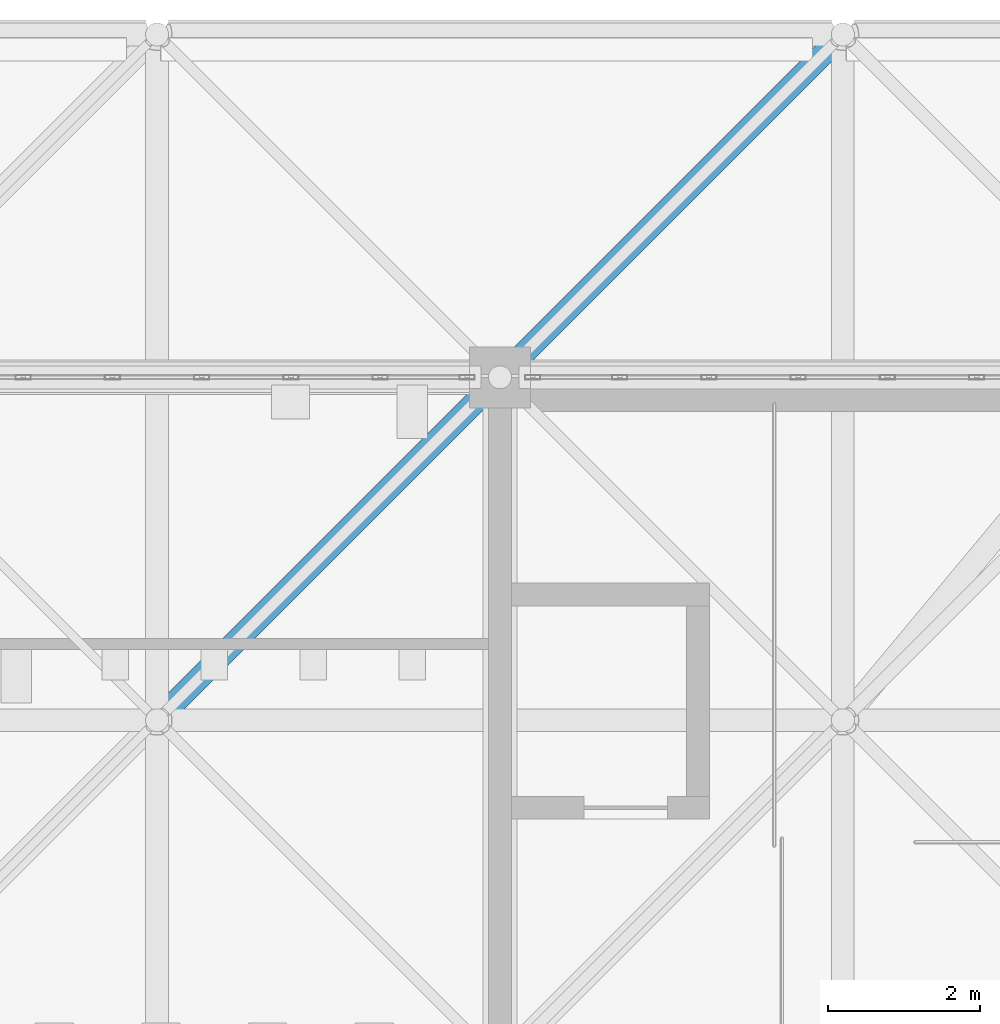
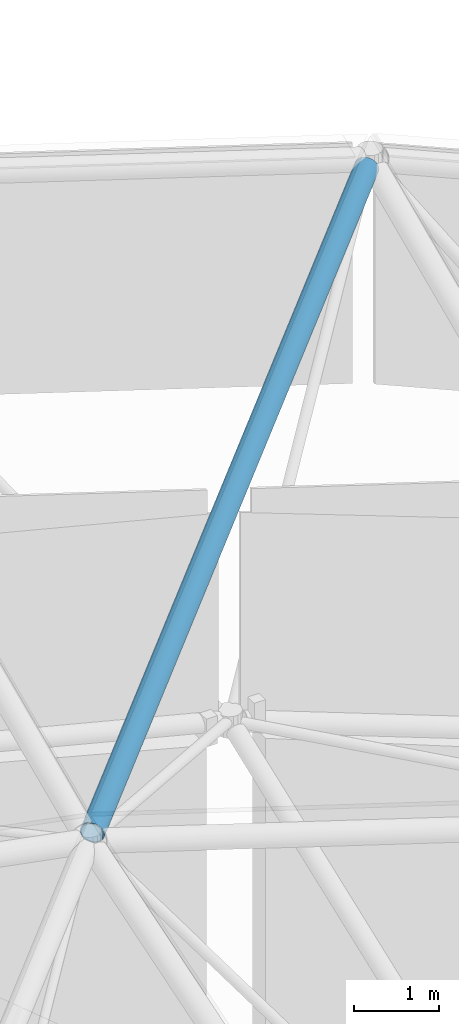
# One storey, part 140 of 437: 1 member.
"""IFC4 building model written with IfcOpenShell, lengths in metres."""

from ifc_helpers import new_model, si_unit, direction, frame, origin, origin_2d, place, context, subcontext, project, spatial, hollow_circle, extrude, material, material_profile, profile_set, type_object, element, save


model = new_model("IFC4")

# Units and contexts
model_context = context("Model", 3, precision=1e-05, world=origin(), true_north=direction((0.0, 1.0)))
body_context = subcontext(model_context, "Body", "Model", "MODEL_VIEW")
ifc_project = project(units=[si_unit("LENGTHUNIT", "METRE"), si_unit("AREAUNIT", "SQUARE_METRE"), si_unit("VOLUMEUNIT", "CUBIC_METRE"), si_unit("PLANEANGLEUNIT", "RADIAN"), si_unit("MASSUNIT", "GRAM", prefix="KILO")], contexts=[model_context])

# Site, building, storey
site_placement = place(None, origin())
site = spatial("IfcSite", under=ifc_project, at=site_placement, CompositionType="ELEMENT")
building_placement = place(site_placement, origin())
building = spatial("IfcBuilding", under=site, at=building_placement, Name="Opaline Strait Convention Centre", CompositionType="ELEMENT")
storey_placement = place(building_placement, frame((0.0, 0.0, 11.5)))
storey = spatial("IfcBuildingStorey", under=building, at=storey_placement, Name="L02", CompositionType="ELEMENT", Elevation=11.5)

# Member
ifc_material = material(Name="Steel Q355B", Category="steel")
ifc_material_profile = material_profile(ifc_material, hollow_circle(Radius=0.1494140625, WallThickness=0.01611328125, at=origin_2d()), Name="CHS 299x16")
ifc_profile_set = profile_set([ifc_material_profile], Name="Steel Q355B")
member_type = type_object("IfcMemberType", Name="Shell truss top chord CHS 299x16", PredefinedType="CHORD", material=ifc_profile_set)
member_placement = place(storey_placement, frame((58.606201171875, 175.606201171875, 16.715576171875), z_axis=(0.704272973434, 0.704272973434, 0.089438010823), x_axis=(-0.707106781187, 0.707106781187, 0.0)))
element("IfcMember", 1, at=member_placement, inside=storey, type_object=member_type, Name="PTC1 top chord D7-8", PredefinedType="CHORD", context=body_context, shape_type="SweptSolid", body=[
    extrude(hollow_circle(Radius=0.1494140625, WallThickness=0.01611328125, at=origin_2d()), origin(), (0.0, 0.0, 1.0), 12.4775390625),
])

save(model, "model.ifc")
